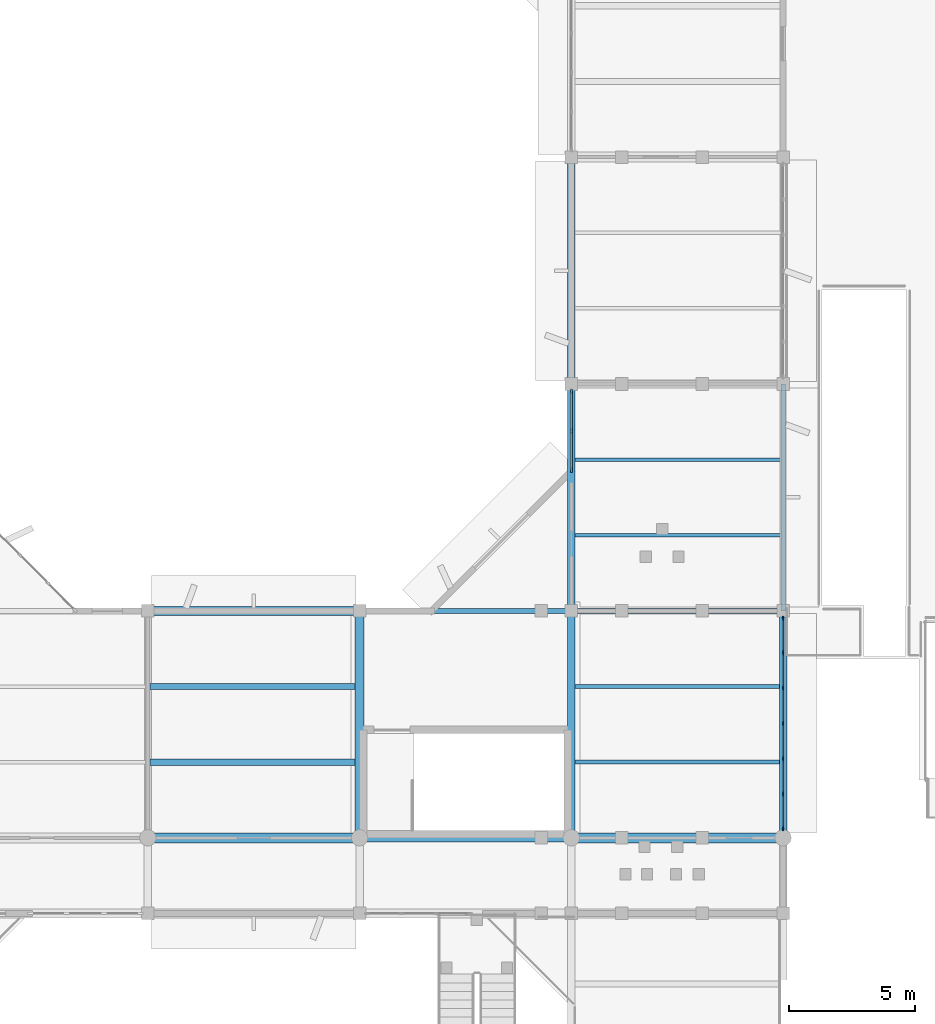
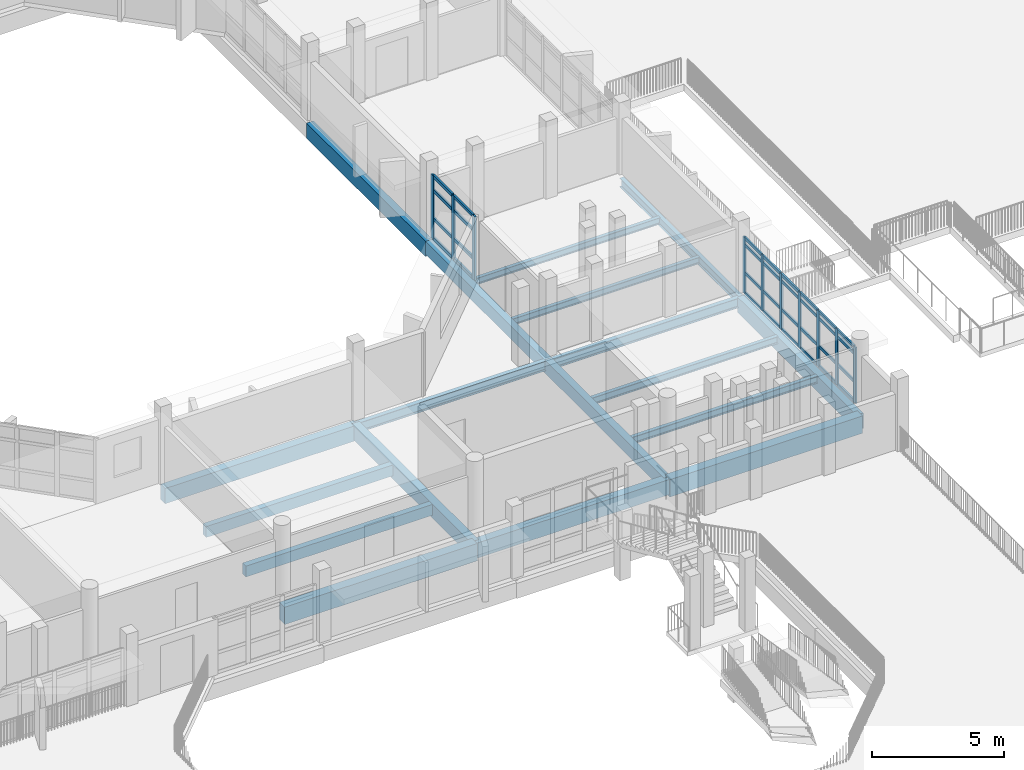
# One storey, part 24 of 92: 42 members, 18 beams, 2 elements without a shape of their own.
"""IFC4 building model written with IfcOpenShell, lengths in metres."""

from ifc_helpers import new_model, si_unit, direction, frame, origin, origin_2d, place, context, subcontext, project, spatial, rectangle, i_section, extrude, material, material_profile, profile_set, type_object, element, aggregate, save


model = new_model("IFC4")

# Units and contexts
model_context = context("Model", 3, precision=1e-05, world=origin(), true_north=direction((0.0, 1.0)))
body_context = subcontext(model_context, "Body", "Model", "MODEL_VIEW")
ifc_project = project(units=[si_unit("LENGTHUNIT", "METRE"), si_unit("AREAUNIT", "SQUARE_METRE"), si_unit("VOLUMEUNIT", "CUBIC_METRE"), si_unit("PLANEANGLEUNIT", "RADIAN"), si_unit("MASSUNIT", "GRAM", prefix="KILO")], contexts=[model_context])

# Site, building, storey
site_placement = place(None, origin())
site = spatial("IfcSite", under=ifc_project, at=site_placement, CompositionType="ELEMENT")
building_placement = place(site_placement, origin())
building = spatial("IfcBuilding", under=site, at=building_placement, Name="Vanh Quang Courtyard School", CompositionType="ELEMENT")
storey_placement = place(building_placement, frame((0.0, 0.0, 7.800048828125)))
storey = spatial("IfcBuildingStorey", under=building, at=storey_placement, Name="L02", CompositionType="ELEMENT", Elevation=7.800048828125)

# Beams
ifc_material_1 = material(Name="Concrete C35/45", Category="concrete")
ifc_material_profile_1 = material_profile(ifc_material_1, rectangle(XDim=0.300048828125, YDim=0.60009765625, at=origin_2d()), Name="RC-BM 300x600")
ifc_profile_set_1 = profile_set([ifc_material_profile_1], Name="Concrete C35/45")
beam_type_1 = type_object("IfcBeamType", Name="BM-RC-300x600", PredefinedType="BEAM", material=ifc_profile_set_1)
for number, where, z_axis, x_axis, name in (
    (1, (111.0, 32.39990234375, -0.580078125), (0.0, 1.0, 0.0), (-1.0, 0.0, 0.0), "Beam B-06 (L02)"),
    (2, (111.0, 41.39990234375, -0.580078125), (0.0, 1.0, 0.0), (-1.0, 0.0, 0.0), "Beam B-06 (L02)"),
):
    element("IfcBeam", number, at=place(storey_placement, frame(where, z_axis=z_axis, x_axis=x_axis)), inside=storey, type_object=beam_type_1, Name=name, PredefinedType="BEAM", context=body_context, shape_type="SweptSolid", body=[
        extrude(rectangle(XDim=0.300048828125, YDim=0.60009765625, at=origin_2d()), origin(), (0.0, 0.0, 1.0), 9.0),
    ])
ifc_material_profile_2 = material_profile(ifc_material_1, rectangle(XDim=0.35009765625, YDim=0.64990234375, at=origin_2d()), Name="RC-BM 350x650")
ifc_profile_set_2 = profile_set([ifc_material_profile_2], Name="Concrete C35/45")
beam_type_2 = type_object("IfcBeamType", Name="BM-RC-350x650", PredefinedType="BEAM", material=ifc_profile_set_2)
beam_1_placement = place(storey_placement, frame((102.60009765625, 32.39990234375, -0.60498046875), z_axis=(0.0, 1.0, 0.0), x_axis=(-1.0, 0.0, 0.0)))
element("IfcBeam", 3, at=beam_1_placement, inside=storey, type_object=beam_type_2, Name="Beam B-05 (L02)", PredefinedType="BEAM", context=body_context, shape_type="SweptSolid", body=[
    extrude(rectangle(XDim=0.35009765625, YDim=0.64990234375, at=origin_2d()), origin(), (0.0, 0.0, 1.0), 9.0),
])
ifc_material_profile_3 = material_profile(ifc_material_1, rectangle(XDim=0.35009765625, YDim=0.699951171875, at=origin_2d()), Name="RC-BM 350x700")
ifc_profile_set_3 = profile_set([ifc_material_profile_3], Name="Concrete C35/45")
beam_type_3 = type_object("IfcBeamType", Name="BM-RC-350x700", PredefinedType="BEAM", material=ifc_profile_set_3)
beam_2_placement = place(storey_placement, frame((102.60009765625, 32.39990234375, -0.630126953125), z_axis=(1.0, 0.0, 0.0), x_axis=(0.0, 1.0, 0.0)))
element("IfcBeam", 4, at=beam_2_placement, inside=storey, type_object=beam_type_3, Name="Beam B-04 (L02)", PredefinedType="BEAM", context=body_context, shape_type="SweptSolid", body=[
    extrude(rectangle(XDim=0.35009765625, YDim=0.699951171875, at=origin_2d()), origin(), (0.0, 0.0, 1.0), 8.39990234375),
])
beam_3_placement = place(storey_placement, frame((94.199951171875, 41.39990234375, -0.630126953125), z_axis=(1.0, 0.0, 0.0), x_axis=(0.0, 1.0, 0.0)))
element("IfcBeam", 5, at=beam_3_placement, inside=storey, type_object=beam_type_3, Name="Beam B-04 (L02)", PredefinedType="BEAM", context=body_context, shape_type="SweptSolid", body=[
    extrude(rectangle(XDim=0.35009765625, YDim=0.699951171875, at=origin_2d()), origin(), (0.0, 0.0, 1.0), 8.400146484375),
])
ifc_material_profile_4 = material_profile(ifc_material_1, rectangle(XDim=0.39990234375, YDim=0.800048828125, at=origin_2d()), Name="RC-BM 400x800")
ifc_profile_set_4 = profile_set([ifc_material_profile_4], Name="Concrete C35/45")
beam_type_4 = type_object("IfcBeamType", Name="BM-RC-400x800", PredefinedType="BEAM", material=ifc_profile_set_4)
beam_4_placement = place(storey_placement, frame((94.199951171875, 32.39990234375, -0.679931640625), z_axis=(1.0, 0.0, 0.0), x_axis=(0.0, 1.0, 0.0)))
element("IfcBeam", 6, at=beam_4_placement, inside=storey, type_object=beam_type_4, Name="Beam B-02 (L02)", PredefinedType="BEAM", context=body_context, shape_type="SweptSolid", body=[
    extrude(rectangle(XDim=0.39990234375, YDim=0.800048828125, at=origin_2d()), origin(), (0.0, 0.0, 1.0), 8.400146484375),
])
beam_5_placement = place(storey_placement, frame((111.0, 32.39990234375, -0.679931640625), z_axis=(1.0, 0.0, 0.0), x_axis=(0.0, 1.0, 0.0)))
element("IfcBeam", 7, at=beam_5_placement, inside=storey, type_object=beam_type_4, Name="Beam B-02 (L02)", PredefinedType="BEAM", context=body_context, shape_type="SweptSolid", body=[
    extrude(rectangle(XDim=0.39990234375, YDim=0.800048828125, at=origin_2d()), origin(), (0.0, 0.0, 1.0), 8.39990234375),
])
ifc_material_profile_5 = material_profile(ifc_material_1, rectangle(XDim=0.300048828125, YDim=0.699951171875, at=origin_2d()), Name="RC-SP 300x700")
ifc_profile_set_5 = profile_set([ifc_material_profile_5], Name="Concrete C35/45")
beam_type_5 = type_object("IfcBeamType", Name="BM-SP-300x700", PredefinedType="SPANDREL", material=ifc_profile_set_5)
for number, where, z_axis, x_axis, name in (
    (8, (111.0, 50.39990234375, -0.630126953125), (0.0, 1.0, 0.0), (-1.0, 0.0, 0.0), "Beam BS-01 (L02)"),
    (9, (119.39990234375, 32.39990234375, -0.670166015625), (0.0, 1.0, 0.0), (-1.0, 0.0, 0.0), "Beam BS-01 (L02)"),
):
    element("IfcBeam", number, at=place(storey_placement, frame(where, z_axis=z_axis, x_axis=x_axis)), inside=storey, type_object=beam_type_5, Name=name, PredefinedType="SPANDREL", context=body_context, shape_type="SweptSolid", body=[
        extrude(rectangle(XDim=0.300048828125, YDim=0.699951171875, at=origin_2d()), origin(), (0.0, 0.0, 1.0), 9.0),
    ])
ifc_material_2 = material(Name="Structural steel EN 10025-2 S355J2", Category="steel")
ifc_material_profile_6 = material_profile(ifc_material_2, i_section(OverallWidth=0.179931640625, OverallDepth=0.39990234375, WebThickness=0.008544921875, FlangeThickness=0.013427734375, FilletRadius=0.02099609375, at=origin_2d()), Name="IPE 400")
ifc_profile_set_6 = profile_set([ifc_material_profile_6], Name="Structural steel EN 10025-2 S355J2")
beam_type_6 = type_object("IfcBeamType", Name="BM-STL-IPE400", PredefinedType="BEAM", material=ifc_profile_set_6)
beam_6_placement = place(storey_placement, frame((119.39990234375, 41.39990234375, -0.52001953125), z_axis=(0.0, 1.0, 0.0), x_axis=(-1.0, 0.0, 0.0)))
element("IfcBeam", 10, at=beam_6_placement, inside=storey, type_object=beam_type_6, Name="Beam SB-05 (L02)", PredefinedType="BEAM", context=body_context, shape_type="SweptSolid", body=[
    extrude(i_section(OverallWidth=0.179931640625, OverallDepth=0.39990234375, WebThickness=0.008544921875, FlangeThickness=0.013427734375, FilletRadius=0.02099609375, at=origin_2d()), origin(), (0.0, 0.0, 1.0), 9.0),
])
ifc_material_profile_7 = material_profile(ifc_material_2, i_section(OverallWidth=0.18994140625, OverallDepth=0.449951171875, WebThickness=0.009521484375, FlangeThickness=0.0146484375, FilletRadius=0.02099609375, at=origin_2d()), Name="IPE 450")
ifc_profile_set_7 = profile_set([ifc_material_profile_7], Name="Structural steel EN 10025-2 S355J2")
beam_type_7 = type_object("IfcBeamType", Name="BM-STL-IPE450", PredefinedType="BEAM", material=ifc_profile_set_7)
for number, where, z_axis, x_axis, name in (
    (11, (102.60009765625, 41.39990234375, -0.505126953125), (1.0, 0.0, 0.0), (0.0, 1.0, 0.0), "Beam SB-04 (L02)"),
    (12, (111.0, 41.39990234375, -0.545166015625), (1.0, 0.0, 0.0), (0.0, 1.0, 0.0), "Beam SB-04 (L02)"),
):
    element("IfcBeam", number, at=place(storey_placement, frame(where, z_axis=z_axis, x_axis=x_axis)), inside=storey, type_object=beam_type_7, Name=name, PredefinedType="BEAM", context=body_context, shape_type="SweptSolid", body=[
        extrude(i_section(OverallWidth=0.18994140625, OverallDepth=0.449951171875, WebThickness=0.009521484375, FlangeThickness=0.0146484375, FilletRadius=0.02099609375, at=origin_2d()), origin(), (0.0, 0.0, 1.0), 8.39990234375),
    ])

# Curtain wall, members
ifc_material_3 = material(Name="Thermally broken aluminium unitised curtain wall", Category="aluminium")
curtain_wall_type_1 = type_object("IfcCurtainWallType", Name="CW-SYS-48", PredefinedType="NOTDEFINED", material=ifc_material_3)
curtain_wall_1_placement = place(storey_placement, origin())
curtain_wall_1 = element("IfcCurtainWall", 13, at=curtain_wall_1_placement, inside=storey, type_object=curtain_wall_type_1, Name="Curtain Wall CW-48 (L02)", PredefinedType="NOTDEFINED")
ifc_material_4 = material(Name="Anodised aluminium 6063-T6", Category="aluminium")
ifc_material_profile_8 = material_profile(ifc_material_4, rectangle(XDim=0.070068359375, YDim=0.179931640625, at=origin_2d()), Name="ALU-MUL 70x180")
ifc_profile_set_8 = profile_set([ifc_material_profile_8], Name="Anodised aluminium 6063-T6")
member_type_1 = type_object("IfcMemberType", Name="CW-MUL-70x180", PredefinedType="MULLION", material=ifc_profile_set_8)
member_1_placement = place(storey_placement, frame((119.39990234375, 41.10693359375, 0.0), z_axis=(0.0, 0.0, 1.0), x_axis=(1.0, 0.0, 0.0)))
member_1 = element("IfcMember", 14, at=member_1_placement, type_object=member_type_1, Name="CW-48 mullion 1", PredefinedType="MULLION", context=body_context, shape_type="SweptSolid", body=[
    extrude(rectangle(XDim=0.070068359375, YDim=0.179931640625, at=origin_2d()), origin(), (0.0, 0.0, 1.0), 2.579833984375),
])
member_2_placement = place(storey_placement, frame((119.39990234375, 39.740478515625, 0.0), z_axis=(0.0, 0.0, 1.0), x_axis=(1.0, 0.0, 0.0)))
member_2 = element("IfcMember", 15, at=member_2_placement, type_object=member_type_1, Name="CW-48 mullion 2", PredefinedType="MULLION", context=body_context, shape_type="SweptSolid", body=[
    extrude(rectangle(XDim=0.070068359375, YDim=0.179931640625, at=origin_2d()), origin(), (0.0, 0.0, 1.0), 2.579833984375),
])
member_3_placement = place(storey_placement, frame((119.39990234375, 38.339111328125, 0.0), z_axis=(0.0, 0.0, 1.0), x_axis=(1.0, 0.0, 0.0)))
member_3 = element("IfcMember", 16, at=member_3_placement, type_object=member_type_1, Name="CW-48 mullion 3", PredefinedType="MULLION", context=body_context, shape_type="SweptSolid", body=[
    extrude(rectangle(XDim=0.070068359375, YDim=0.179931640625, at=origin_2d()), origin(), (0.0, 0.0, 1.0), 2.579833984375),
])
member_4_placement = place(storey_placement, frame((119.39990234375, 36.9375, 0.0), z_axis=(0.0, 0.0, 1.0), x_axis=(1.0, 0.0, 0.0)))
member_4 = element("IfcMember", 17, at=member_4_placement, type_object=member_type_1, Name="CW-48 mullion 4", PredefinedType="MULLION", context=body_context, shape_type="SweptSolid", body=[
    extrude(rectangle(XDim=0.070068359375, YDim=0.179931640625, at=origin_2d()), origin(), (0.0, 0.0, 1.0), 2.579833984375),
])
member_5_placement = place(storey_placement, frame((119.39990234375, 35.535888671875, 0.0), z_axis=(0.0, 0.0, 1.0), x_axis=(1.0, 0.0, 0.0)))
member_5 = element("IfcMember", 18, at=member_5_placement, type_object=member_type_1, Name="CW-48 mullion 5", PredefinedType="MULLION", context=body_context, shape_type="SweptSolid", body=[
    extrude(rectangle(XDim=0.070068359375, YDim=0.179931640625, at=origin_2d()), origin(), (0.0, 0.0, 1.0), 2.579833984375),
])
member_6_placement = place(storey_placement, frame((119.39990234375, 34.134521484375, 0.0), z_axis=(0.0, 0.0, 1.0), x_axis=(1.0, 0.0, 0.0)))
member_6 = element("IfcMember", 19, at=member_6_placement, type_object=member_type_1, Name="CW-48 mullion 6", PredefinedType="MULLION", context=body_context, shape_type="SweptSolid", body=[
    extrude(rectangle(XDim=0.070068359375, YDim=0.179931640625, at=origin_2d()), origin(), (0.0, 0.0, 1.0), 2.579833984375),
])
member_7_placement = place(storey_placement, frame((119.39990234375, 32.76806640625, 0.0), z_axis=(0.0, 0.0, 1.0), x_axis=(1.0, 0.0, 0.0)))
member_7 = element("IfcMember", 20, at=member_7_placement, type_object=member_type_1, Name="CW-48 mullion 7", PredefinedType="MULLION", context=body_context, shape_type="SweptSolid", body=[
    extrude(rectangle(XDim=0.070068359375, YDim=0.179931640625, at=origin_2d()), origin(), (0.0, 0.0, 1.0), 2.579833984375),
])

curtain_wall_type_2 = type_object("IfcCurtainWallType", Name="CW-SYS-45", PredefinedType="NOTDEFINED", material=ifc_material_3)
curtain_wall_2_placement = place(storey_placement, origin())
curtain_wall_2 = element("IfcCurtainWall", 21, at=curtain_wall_2_placement, inside=storey, type_object=curtain_wall_type_2, Name="Curtain Wall CW-45 (L02)", PredefinedType="NOTDEFINED")
ifc_material_profile_9 = material_profile(ifc_material_4, rectangle(XDim=0.080078125, YDim=0.199951171875, at=origin_2d()), Name="ALU-MUL 80x200")
ifc_profile_set_9 = profile_set([ifc_material_profile_9], Name="Anodised aluminium 6063-T6")
member_type_2 = type_object("IfcMemberType", Name="CW-MUL-80x200", PredefinedType="MULLION", material=ifc_profile_set_9)
member_8_placement = place(storey_placement, frame((111.0, 46.98388671875, 0.0), z_axis=(0.0, 0.0, 1.0), x_axis=(-1.0, 0.0, 0.0)))
member_8 = element("IfcMember", 22, at=member_8_placement, type_object=member_type_2, Name="CW-45 mullion 1", PredefinedType="MULLION", context=body_context, shape_type="SweptSolid", body=[
    extrude(rectangle(XDim=0.080078125, YDim=0.199951171875, at=origin_2d()), origin(), (0.0, 0.0, 1.0), 2.93994140625),
])
member_9_placement = place(storey_placement, frame((111.0, 48.54296875, 0.0), z_axis=(0.0, 0.0, 1.0), x_axis=(-1.0, 0.0, 0.0)))
member_9 = element("IfcMember", 23, at=member_9_placement, type_object=member_type_2, Name="CW-45 mullion 2", PredefinedType="MULLION", context=body_context, shape_type="SweptSolid", body=[
    extrude(rectangle(XDim=0.080078125, YDim=0.199951171875, at=origin_2d()), origin(), (0.0, 0.0, 1.0), 2.93994140625),
])
member_10_placement = place(storey_placement, frame((111.0, 50.10205078125, 0.0), z_axis=(0.0, 0.0, 1.0), x_axis=(-1.0, 0.0, 0.0)))
member_10 = element("IfcMember", 24, at=member_10_placement, type_object=member_type_2, Name="CW-45 mullion 3", PredefinedType="MULLION", context=body_context, shape_type="SweptSolid", body=[
    extrude(rectangle(XDim=0.080078125, YDim=0.199951171875, at=origin_2d()), origin(), (0.0, 0.0, 1.0), 2.93994140625),
])

# Member
ifc_material_profile_10 = material_profile(ifc_material_4, rectangle(XDim=0.070068359375, YDim=0.139892578125, at=origin_2d()), Name="ALU-TRN 70x140")
ifc_profile_set_10 = profile_set([ifc_material_profile_10], Name="Anodised aluminium 6063-T6")
member_type_3 = type_object("IfcMemberType", Name="CW-TRN-70x140", PredefinedType="USERDEFINED", material=ifc_profile_set_10)
member_11_placement = place(storey_placement, frame((119.39990234375, 41.072021484375, 0.034912109375), z_axis=(0.0, -1.0, 0.0), x_axis=(1.0, 0.0, 0.0)))
member_11 = element("IfcMember", 25, at=member_11_placement, type_object=member_type_3, Name="CW-48 transom 1.1", ObjectType="TRANSOM", PredefinedType="USERDEFINED", context=body_context, shape_type="SweptSolid", body=[
    extrude(rectangle(XDim=0.070068359375, YDim=0.139892578125, at=origin_2d()), origin(), (0.0, 0.0, 1.0), 1.296630859375),
])

member_12_placement = place(storey_placement, frame((119.39990234375, 41.072021484375, 0.949951171875), z_axis=(0.0, -1.0, 0.0), x_axis=(1.0, 0.0, 0.0)))
member_12 = element("IfcMember", 26, at=member_12_placement, type_object=member_type_3, Name="CW-48 transom 1.2", ObjectType="TRANSOM", PredefinedType="USERDEFINED", context=body_context, shape_type="SweptSolid", body=[
    extrude(rectangle(XDim=0.070068359375, YDim=0.139892578125, at=origin_2d()), origin(), (0.0, 0.0, 1.0), 1.296630859375),
])

member_13_placement = place(storey_placement, frame((119.39990234375, 41.072021484375, 2.25), z_axis=(0.0, -1.0, 0.0), x_axis=(1.0, 0.0, 0.0)))
member_13 = element("IfcMember", 27, at=member_13_placement, type_object=member_type_3, Name="CW-48 transom 1.3", ObjectType="TRANSOM", PredefinedType="USERDEFINED", context=body_context, shape_type="SweptSolid", body=[
    extrude(rectangle(XDim=0.070068359375, YDim=0.139892578125, at=origin_2d()), origin(), (0.0, 0.0, 1.0), 1.296630859375),
])

member_14_placement = place(storey_placement, frame((119.39990234375, 41.072021484375, 2.544921875), z_axis=(0.0, -1.0, 0.0), x_axis=(1.0, 0.0, 0.0)))
member_14 = element("IfcMember", 28, at=member_14_placement, type_object=member_type_3, Name="CW-48 transom 1.4", ObjectType="TRANSOM", PredefinedType="USERDEFINED", context=body_context, shape_type="SweptSolid", body=[
    extrude(rectangle(XDim=0.070068359375, YDim=0.139892578125, at=origin_2d()), origin(), (0.0, 0.0, 1.0), 1.296630859375),
])

member_15_placement = place(storey_placement, frame((119.39990234375, 39.70556640625, 0.034912109375), z_axis=(0.0, -1.0, 0.0), x_axis=(1.0, 0.0, 0.0)))
member_15 = element("IfcMember", 29, at=member_15_placement, type_object=member_type_3, Name="CW-48 transom 2.1", ObjectType="TRANSOM", PredefinedType="USERDEFINED", context=body_context, shape_type="SweptSolid", body=[
    extrude(rectangle(XDim=0.070068359375, YDim=0.139892578125, at=origin_2d()), origin(), (0.0, 0.0, 1.0), 1.33154296875),
])

member_16_placement = place(storey_placement, frame((119.39990234375, 39.70556640625, 0.949951171875), z_axis=(0.0, -1.0, 0.0), x_axis=(1.0, 0.0, 0.0)))
member_16 = element("IfcMember", 30, at=member_16_placement, type_object=member_type_3, Name="CW-48 transom 2.2", ObjectType="TRANSOM", PredefinedType="USERDEFINED", context=body_context, shape_type="SweptSolid", body=[
    extrude(rectangle(XDim=0.070068359375, YDim=0.139892578125, at=origin_2d()), origin(), (0.0, 0.0, 1.0), 1.33154296875),
])

member_17_placement = place(storey_placement, frame((119.39990234375, 39.70556640625, 2.25), z_axis=(0.0, -1.0, 0.0), x_axis=(1.0, 0.0, 0.0)))
member_17 = element("IfcMember", 31, at=member_17_placement, type_object=member_type_3, Name="CW-48 transom 2.3", ObjectType="TRANSOM", PredefinedType="USERDEFINED", context=body_context, shape_type="SweptSolid", body=[
    extrude(rectangle(XDim=0.070068359375, YDim=0.139892578125, at=origin_2d()), origin(), (0.0, 0.0, 1.0), 1.33154296875),
])

member_18_placement = place(storey_placement, frame((119.39990234375, 39.70556640625, 2.544921875), z_axis=(0.0, -1.0, 0.0), x_axis=(1.0, 0.0, 0.0)))
member_18 = element("IfcMember", 32, at=member_18_placement, type_object=member_type_3, Name="CW-48 transom 2.4", ObjectType="TRANSOM", PredefinedType="USERDEFINED", context=body_context, shape_type="SweptSolid", body=[
    extrude(rectangle(XDim=0.070068359375, YDim=0.139892578125, at=origin_2d()), origin(), (0.0, 0.0, 1.0), 1.33154296875),
])

member_19_placement = place(storey_placement, frame((119.39990234375, 38.303955078125, 0.034912109375), z_axis=(0.0, -1.0, 0.0), x_axis=(1.0, 0.0, 0.0)))
member_19 = element("IfcMember", 33, at=member_19_placement, type_object=member_type_3, Name="CW-48 transom 3.1", ObjectType="TRANSOM", PredefinedType="USERDEFINED", context=body_context, shape_type="SweptSolid", body=[
    extrude(rectangle(XDim=0.070068359375, YDim=0.139892578125, at=origin_2d()), origin(), (0.0, 0.0, 1.0), 1.33154296875),
])

member_20_placement = place(storey_placement, frame((119.39990234375, 38.303955078125, 0.949951171875), z_axis=(0.0, -1.0, 0.0), x_axis=(1.0, 0.0, 0.0)))
member_20 = element("IfcMember", 34, at=member_20_placement, type_object=member_type_3, Name="CW-48 transom 3.2", ObjectType="TRANSOM", PredefinedType="USERDEFINED", context=body_context, shape_type="SweptSolid", body=[
    extrude(rectangle(XDim=0.070068359375, YDim=0.139892578125, at=origin_2d()), origin(), (0.0, 0.0, 1.0), 1.33154296875),
])

member_21_placement = place(storey_placement, frame((119.39990234375, 38.303955078125, 2.25), z_axis=(0.0, -1.0, 0.0), x_axis=(1.0, 0.0, 0.0)))
member_21 = element("IfcMember", 35, at=member_21_placement, type_object=member_type_3, Name="CW-48 transom 3.3", ObjectType="TRANSOM", PredefinedType="USERDEFINED", context=body_context, shape_type="SweptSolid", body=[
    extrude(rectangle(XDim=0.070068359375, YDim=0.139892578125, at=origin_2d()), origin(), (0.0, 0.0, 1.0), 1.33154296875),
])

member_22_placement = place(storey_placement, frame((119.39990234375, 38.303955078125, 2.544921875), z_axis=(0.0, -1.0, 0.0), x_axis=(1.0, 0.0, 0.0)))
member_22 = element("IfcMember", 36, at=member_22_placement, type_object=member_type_3, Name="CW-48 transom 3.4", ObjectType="TRANSOM", PredefinedType="USERDEFINED", context=body_context, shape_type="SweptSolid", body=[
    extrude(rectangle(XDim=0.070068359375, YDim=0.139892578125, at=origin_2d()), origin(), (0.0, 0.0, 1.0), 1.33154296875),
])

member_23_placement = place(storey_placement, frame((119.39990234375, 36.902587890625, 0.034912109375), z_axis=(0.0, -1.0, 0.0), x_axis=(1.0, 0.0, 0.0)))
member_23 = element("IfcMember", 37, at=member_23_placement, type_object=member_type_3, Name="CW-48 transom 4.1", ObjectType="TRANSOM", PredefinedType="USERDEFINED", context=body_context, shape_type="SweptSolid", body=[
    extrude(rectangle(XDim=0.070068359375, YDim=0.139892578125, at=origin_2d()), origin(), (0.0, 0.0, 1.0), 1.33154296875),
])

member_24_placement = place(storey_placement, frame((119.39990234375, 36.902587890625, 0.949951171875), z_axis=(0.0, -1.0, 0.0), x_axis=(1.0, 0.0, 0.0)))
member_24 = element("IfcMember", 38, at=member_24_placement, type_object=member_type_3, Name="CW-48 transom 4.2", ObjectType="TRANSOM", PredefinedType="USERDEFINED", context=body_context, shape_type="SweptSolid", body=[
    extrude(rectangle(XDim=0.070068359375, YDim=0.139892578125, at=origin_2d()), origin(), (0.0, 0.0, 1.0), 1.33154296875),
])

member_25_placement = place(storey_placement, frame((119.39990234375, 36.902587890625, 2.25), z_axis=(0.0, -1.0, 0.0), x_axis=(1.0, 0.0, 0.0)))
member_25 = element("IfcMember", 39, at=member_25_placement, type_object=member_type_3, Name="CW-48 transom 4.3", ObjectType="TRANSOM", PredefinedType="USERDEFINED", context=body_context, shape_type="SweptSolid", body=[
    extrude(rectangle(XDim=0.070068359375, YDim=0.139892578125, at=origin_2d()), origin(), (0.0, 0.0, 1.0), 1.33154296875),
])

member_26_placement = place(storey_placement, frame((119.39990234375, 36.902587890625, 2.544921875), z_axis=(0.0, -1.0, 0.0), x_axis=(1.0, 0.0, 0.0)))
member_26 = element("IfcMember", 40, at=member_26_placement, type_object=member_type_3, Name="CW-48 transom 4.4", ObjectType="TRANSOM", PredefinedType="USERDEFINED", context=body_context, shape_type="SweptSolid", body=[
    extrude(rectangle(XDim=0.070068359375, YDim=0.139892578125, at=origin_2d()), origin(), (0.0, 0.0, 1.0), 1.33154296875),
])

member_27_placement = place(storey_placement, frame((119.39990234375, 35.5009765625, 0.034912109375), z_axis=(0.0, -1.0, 0.0), x_axis=(1.0, 0.0, 0.0)))
member_27 = element("IfcMember", 41, at=member_27_placement, type_object=member_type_3, Name="CW-48 transom 5.1", ObjectType="TRANSOM", PredefinedType="USERDEFINED", context=body_context, shape_type="SweptSolid", body=[
    extrude(rectangle(XDim=0.070068359375, YDim=0.139892578125, at=origin_2d()), origin(), (0.0, 0.0, 1.0), 1.33154296875),
])

member_28_placement = place(storey_placement, frame((119.39990234375, 35.5009765625, 0.949951171875), z_axis=(0.0, -1.0, 0.0), x_axis=(1.0, 0.0, 0.0)))
member_28 = element("IfcMember", 42, at=member_28_placement, type_object=member_type_3, Name="CW-48 transom 5.2", ObjectType="TRANSOM", PredefinedType="USERDEFINED", context=body_context, shape_type="SweptSolid", body=[
    extrude(rectangle(XDim=0.070068359375, YDim=0.139892578125, at=origin_2d()), origin(), (0.0, 0.0, 1.0), 1.33154296875),
])

member_29_placement = place(storey_placement, frame((119.39990234375, 35.5009765625, 2.25), z_axis=(0.0, -1.0, 0.0), x_axis=(1.0, 0.0, 0.0)))
member_29 = element("IfcMember", 43, at=member_29_placement, type_object=member_type_3, Name="CW-48 transom 5.3", ObjectType="TRANSOM", PredefinedType="USERDEFINED", context=body_context, shape_type="SweptSolid", body=[
    extrude(rectangle(XDim=0.070068359375, YDim=0.139892578125, at=origin_2d()), origin(), (0.0, 0.0, 1.0), 1.33154296875),
])

member_30_placement = place(storey_placement, frame((119.39990234375, 35.5009765625, 2.544921875), z_axis=(0.0, -1.0, 0.0), x_axis=(1.0, 0.0, 0.0)))
member_30 = element("IfcMember", 44, at=member_30_placement, type_object=member_type_3, Name="CW-48 transom 5.4", ObjectType="TRANSOM", PredefinedType="USERDEFINED", context=body_context, shape_type="SweptSolid", body=[
    extrude(rectangle(XDim=0.070068359375, YDim=0.139892578125, at=origin_2d()), origin(), (0.0, 0.0, 1.0), 1.33154296875),
])

member_31_placement = place(storey_placement, frame((119.39990234375, 34.099609375, 0.034912109375), z_axis=(0.0, -1.0, 0.0), x_axis=(1.0, 0.0, 0.0)))
member_31 = element("IfcMember", 45, at=member_31_placement, type_object=member_type_3, Name="CW-48 transom 6.1", ObjectType="TRANSOM", PredefinedType="USERDEFINED", context=body_context, shape_type="SweptSolid", body=[
    extrude(rectangle(XDim=0.070068359375, YDim=0.139892578125, at=origin_2d()), origin(), (0.0, 0.0, 1.0), 1.296630859375),
])

member_32_placement = place(storey_placement, frame((119.39990234375, 34.099609375, 0.949951171875), z_axis=(0.0, -1.0, 0.0), x_axis=(1.0, 0.0, 0.0)))
member_32 = element("IfcMember", 46, at=member_32_placement, type_object=member_type_3, Name="CW-48 transom 6.2", ObjectType="TRANSOM", PredefinedType="USERDEFINED", context=body_context, shape_type="SweptSolid", body=[
    extrude(rectangle(XDim=0.070068359375, YDim=0.139892578125, at=origin_2d()), origin(), (0.0, 0.0, 1.0), 1.296630859375),
])

member_33_placement = place(storey_placement, frame((119.39990234375, 34.099609375, 2.25), z_axis=(0.0, -1.0, 0.0), x_axis=(1.0, 0.0, 0.0)))
member_33 = element("IfcMember", 47, at=member_33_placement, type_object=member_type_3, Name="CW-48 transom 6.3", ObjectType="TRANSOM", PredefinedType="USERDEFINED", context=body_context, shape_type="SweptSolid", body=[
    extrude(rectangle(XDim=0.070068359375, YDim=0.139892578125, at=origin_2d()), origin(), (0.0, 0.0, 1.0), 1.296630859375),
])

member_34_placement = place(storey_placement, frame((119.39990234375, 34.099609375, 2.544921875), z_axis=(0.0, -1.0, 0.0), x_axis=(1.0, 0.0, 0.0)))
member_34 = element("IfcMember", 48, at=member_34_placement, type_object=member_type_3, Name="CW-48 transom 6.4", ObjectType="TRANSOM", PredefinedType="USERDEFINED", context=body_context, shape_type="SweptSolid", body=[
    extrude(rectangle(XDim=0.070068359375, YDim=0.139892578125, at=origin_2d()), origin(), (0.0, 0.0, 1.0), 1.296630859375),
])

aggregate(curtain_wall_1, [member_1, member_2, member_3, member_4, member_5, member_6, member_7, member_11, member_12, member_13, member_14, member_15, member_16, member_17, member_18, member_19, member_20, member_21, member_22, member_23, member_24, member_25, member_26, member_27, member_28, member_29, member_30, member_31, member_32, member_33, member_34])

ifc_material_profile_11 = material_profile(ifc_material_4, rectangle(XDim=0.080078125, YDim=0.14990234375, at=origin_2d()), Name="ALU-TRN 80x150")
ifc_profile_set_11 = profile_set([ifc_material_profile_11], Name="Anodised aluminium 6063-T6")
member_type_4 = type_object("IfcMemberType", Name="CW-TRN-80x150", PredefinedType="USERDEFINED", material=ifc_profile_set_11)
member_35_placement = place(storey_placement, frame((111.0, 47.02392578125, 0.0400390625), z_axis=(0.0, 1.0, 0.0), x_axis=(-1.0, 0.0, 0.0)))
member_35 = element("IfcMember", 49, at=member_35_placement, type_object=member_type_4, Name="CW-45 transom 1.1", ObjectType="TRANSOM", PredefinedType="USERDEFINED", context=body_context, shape_type="SweptSolid", body=[
    extrude(rectangle(XDim=0.080078125, YDim=0.14990234375, at=origin_2d()), origin(), (0.0, 0.0, 1.0), 1.47900390625),
])

member_36_placement = place(storey_placement, frame((111.0, 47.02392578125, 0.949951171875), z_axis=(0.0, 1.0, 0.0), x_axis=(-1.0, 0.0, 0.0)))
member_36 = element("IfcMember", 50, at=member_36_placement, type_object=member_type_4, Name="CW-45 transom 1.2", ObjectType="TRANSOM", PredefinedType="USERDEFINED", context=body_context, shape_type="SweptSolid", body=[
    extrude(rectangle(XDim=0.080078125, YDim=0.14990234375, at=origin_2d()), origin(), (0.0, 0.0, 1.0), 1.47900390625),
])

member_37_placement = place(storey_placement, frame((111.0, 47.02392578125, 2.25), z_axis=(0.0, 1.0, 0.0), x_axis=(-1.0, 0.0, 0.0)))
member_37 = element("IfcMember", 51, at=member_37_placement, type_object=member_type_4, Name="CW-45 transom 1.3", ObjectType="TRANSOM", PredefinedType="USERDEFINED", context=body_context, shape_type="SweptSolid", body=[
    extrude(rectangle(XDim=0.080078125, YDim=0.14990234375, at=origin_2d()), origin(), (0.0, 0.0, 1.0), 1.47900390625),
])

member_38_placement = place(storey_placement, frame((111.0, 47.02392578125, 2.89990234375), z_axis=(0.0, 1.0, 0.0), x_axis=(-1.0, 0.0, 0.0)))
member_38 = element("IfcMember", 52, at=member_38_placement, type_object=member_type_4, Name="CW-45 transom 1.4", ObjectType="TRANSOM", PredefinedType="USERDEFINED", context=body_context, shape_type="SweptSolid", body=[
    extrude(rectangle(XDim=0.080078125, YDim=0.14990234375, at=origin_2d()), origin(), (0.0, 0.0, 1.0), 1.47900390625),
])

member_39_placement = place(storey_placement, frame((111.0, 48.5830078125, 0.0400390625), z_axis=(0.0, 1.0, 0.0), x_axis=(-1.0, 0.0, 0.0)))
member_39 = element("IfcMember", 53, at=member_39_placement, type_object=member_type_4, Name="CW-45 transom 2.1", ObjectType="TRANSOM", PredefinedType="USERDEFINED", context=body_context, shape_type="SweptSolid", body=[
    extrude(rectangle(XDim=0.080078125, YDim=0.14990234375, at=origin_2d()), origin(), (0.0, 0.0, 1.0), 1.47900390625),
])

member_40_placement = place(storey_placement, frame((111.0, 48.5830078125, 0.949951171875), z_axis=(0.0, 1.0, 0.0), x_axis=(-1.0, 0.0, 0.0)))
member_40 = element("IfcMember", 54, at=member_40_placement, type_object=member_type_4, Name="CW-45 transom 2.2", ObjectType="TRANSOM", PredefinedType="USERDEFINED", context=body_context, shape_type="SweptSolid", body=[
    extrude(rectangle(XDim=0.080078125, YDim=0.14990234375, at=origin_2d()), origin(), (0.0, 0.0, 1.0), 1.47900390625),
])

member_41_placement = place(storey_placement, frame((111.0, 48.5830078125, 2.25), z_axis=(0.0, 1.0, 0.0), x_axis=(-1.0, 0.0, 0.0)))
member_41 = element("IfcMember", 55, at=member_41_placement, type_object=member_type_4, Name="CW-45 transom 2.3", ObjectType="TRANSOM", PredefinedType="USERDEFINED", context=body_context, shape_type="SweptSolid", body=[
    extrude(rectangle(XDim=0.080078125, YDim=0.14990234375, at=origin_2d()), origin(), (0.0, 0.0, 1.0), 1.47900390625),
])

member_42_placement = place(storey_placement, frame((111.0, 48.5830078125, 2.89990234375), z_axis=(0.0, 1.0, 0.0), x_axis=(-1.0, 0.0, 0.0)))
member_42 = element("IfcMember", 56, at=member_42_placement, type_object=member_type_4, Name="CW-45 transom 2.4", ObjectType="TRANSOM", PredefinedType="USERDEFINED", context=body_context, shape_type="SweptSolid", body=[
    extrude(rectangle(XDim=0.080078125, YDim=0.14990234375, at=origin_2d()), origin(), (0.0, 0.0, 1.0), 1.47900390625),
])

aggregate(curtain_wall_2, [member_8, member_9, member_10, member_35, member_36, member_37, member_38, member_39, member_40, member_41, member_42])

# Beams
ifc_material_5 = material(Name="Concrete C30/37", Category="concrete")
ifc_material_profile_12 = material_profile(ifc_material_5, rectangle(XDim=0.25, YDim=0.5, at=origin_2d()), Name="RC-JST 250x500")
ifc_profile_set_12 = profile_set([ifc_material_profile_12], Name="Concrete C30/37")
beam_type_8 = type_object("IfcBeamType", Name="JST-RC-250x500", PredefinedType="JOIST", material=ifc_profile_set_12)
for number, where, z_axis, x_axis, name in (
    (57, (94.284912109375, 35.39990234375, -0.530029296875), (1.0, 0.0, 0.0), (0.0, 1.0, 0.0), "Beam BJ-01 (L02)"),
    (58, (94.284912109375, 38.39990234375, -0.530029296875), (1.0, 0.0, 0.0), (0.0, 1.0, 0.0), "Beam BJ-01 (L02)"),
):
    element("IfcBeam", number, at=place(storey_placement, frame(where, z_axis=z_axis, x_axis=x_axis)), inside=storey, type_object=beam_type_8, Name=name, PredefinedType="JOIST", context=body_context, shape_type="SweptSolid", body=[
        extrude(rectangle(XDim=0.25, YDim=0.5, at=origin_2d()), origin(), (0.0, 0.0, 1.0), 8.14013671875),
    ])
ifc_material_profile_13 = material_profile(ifc_material_2, i_section(OverallWidth=0.14990234375, OverallDepth=0.300048828125, WebThickness=0.007080078125, FlangeThickness=0.0107421875, FilletRadius=0.014892578125, at=origin_2d()), Name="IPE 300")
ifc_profile_set_13 = profile_set([ifc_material_profile_13], Name="Structural steel EN 10025-2 S355J2")
beam_type_9 = type_object("IfcBeamType", Name="JST-STL-IPE300", PredefinedType="JOIST", material=ifc_profile_set_13)
for number, where, z_axis, x_axis, name in (
    (59, (111.14990234375, 44.39990234375, -0.429931640625), (1.0, 0.0, 0.0), (0.0, 1.0, 0.0), "Beam SJ-02 (L02)"),
    (60, (111.14990234375, 47.39990234375, -0.429931640625), (1.0, 0.0, 0.0), (0.0, 1.0, 0.0), "Beam SJ-02 (L02)"),
):
    element("IfcBeam", number, at=place(storey_placement, frame(where, z_axis=z_axis, x_axis=x_axis)), inside=storey, type_object=beam_type_9, Name=name, PredefinedType="JOIST", context=body_context, shape_type="SweptSolid", body=[
        extrude(i_section(OverallWidth=0.14990234375, OverallDepth=0.300048828125, WebThickness=0.007080078125, FlangeThickness=0.0107421875, FilletRadius=0.014892578125, at=origin_2d()), origin(), (0.0, 0.0, 1.0), 8.16015625),
    ])
ifc_material_profile_14 = material_profile(ifc_material_2, i_section(OverallWidth=0.159912109375, OverallDepth=0.330078125, WebThickness=0.007568359375, FlangeThickness=0.011474609375, FilletRadius=0.01806640625, at=origin_2d()), Name="IPE 330")
ifc_profile_set_14 = profile_set([ifc_material_profile_14], Name="Structural steel EN 10025-2 S355J2")
beam_type_10 = type_object("IfcBeamType", Name="JST-STL-IPE330", PredefinedType="JOIST", material=ifc_profile_set_14)
for number, where, z_axis, x_axis, name in (
    (61, (111.14990234375, 35.39990234375, -0.445068359375), (1.0, 0.0, 0.0), (0.0, 1.0, 0.0), "Beam SJ-01 (L02)"),
    (62, (111.14990234375, 38.39990234375, -0.445068359375), (1.0, 0.0, 0.0), (0.0, 1.0, 0.0), "Beam SJ-01 (L02)"),
):
    element("IfcBeam", number, at=place(storey_placement, frame(where, z_axis=z_axis, x_axis=x_axis)), inside=storey, type_object=beam_type_10, Name=name, PredefinedType="JOIST", context=body_context, shape_type="SweptSolid", body=[
        extrude(i_section(OverallWidth=0.159912109375, OverallDepth=0.330078125, WebThickness=0.007568359375, FlangeThickness=0.011474609375, FilletRadius=0.01806640625, at=origin_2d()), origin(), (0.0, 0.0, 1.0), 8.10009765625),
    ])

save(model, "model.ifc")
